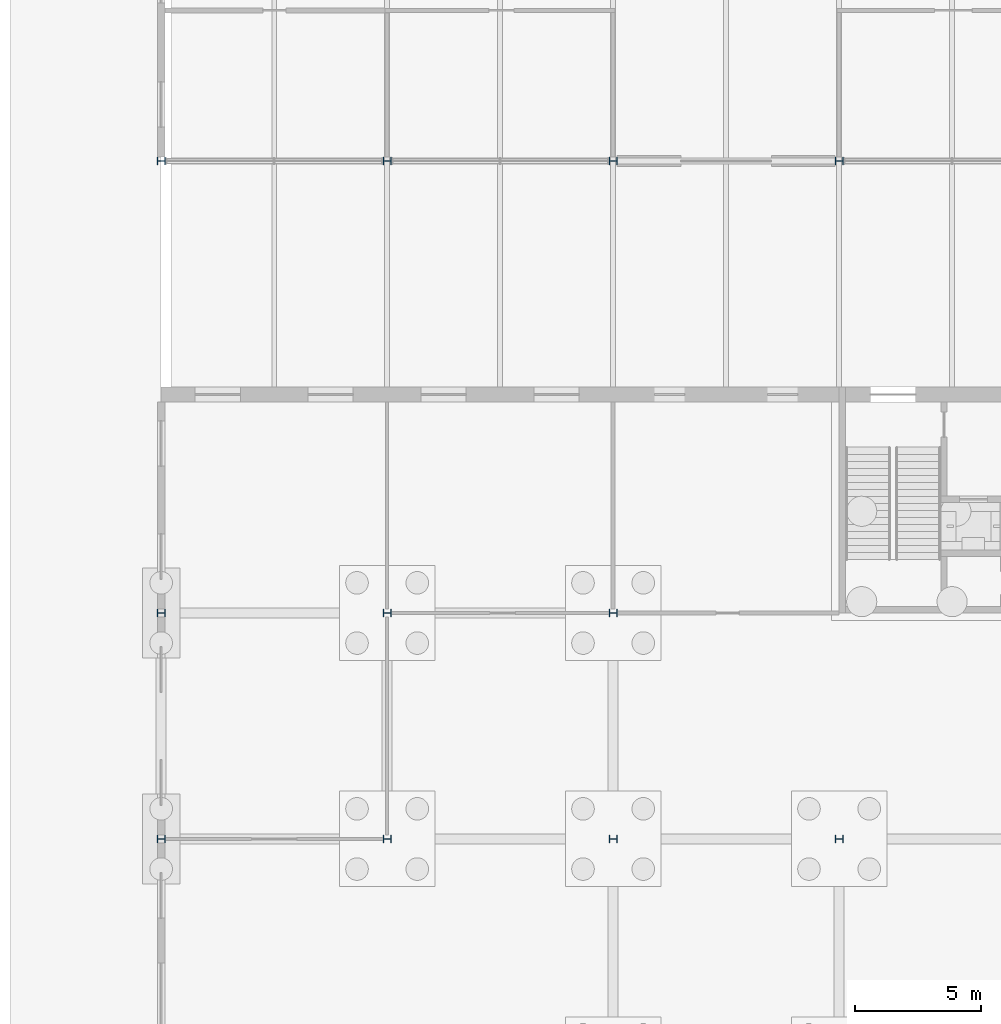
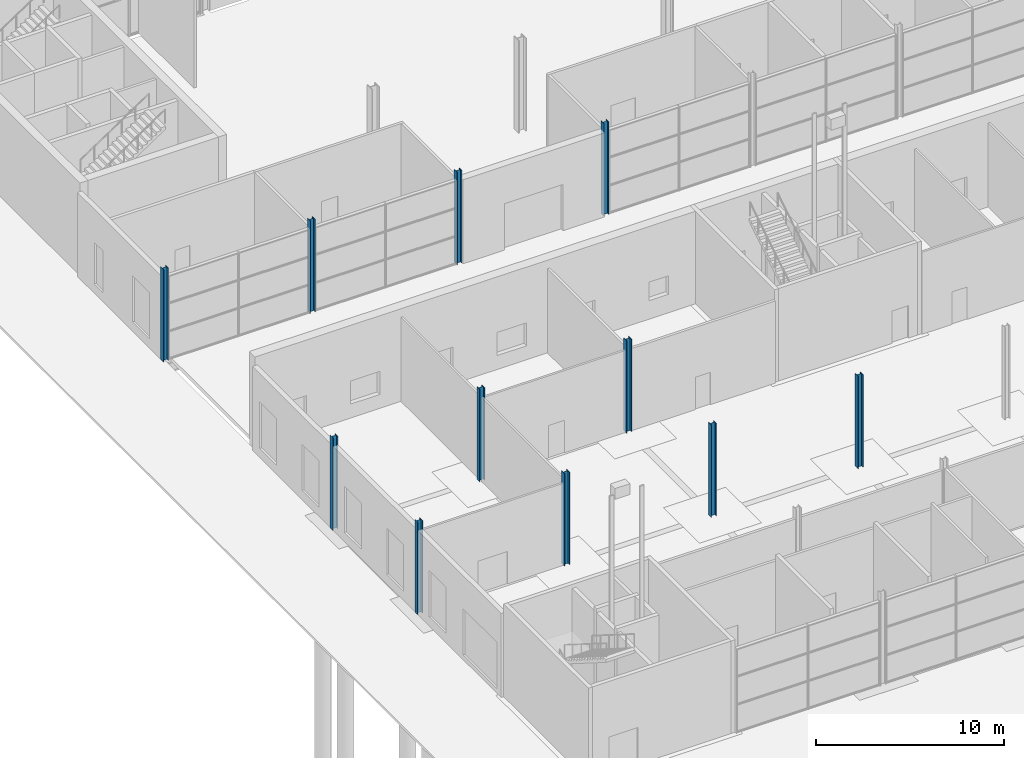
# One storey, part 13 of 97: 11 columns.
"""IFC4 building model written with IfcOpenShell, lengths in metres."""

from ifc_helpers import new_model, si_unit, direction, frame, origin, origin_2d, place, context, subcontext, project, spatial, i_section, extrude, material, material_profile, profile_set, type_object, element, save


model = new_model("IFC4")

# Units and contexts
model_context = context("Model", 3, precision=1e-05, world=origin(), true_north=direction((0.0, 1.0)))
body_context = subcontext(model_context, "Body", "Model", "MODEL_VIEW")
ifc_project = project(units=[si_unit("LENGTHUNIT", "METRE"), si_unit("AREAUNIT", "SQUARE_METRE"), si_unit("VOLUMEUNIT", "CUBIC_METRE"), si_unit("PLANEANGLEUNIT", "RADIAN"), si_unit("MASSUNIT", "GRAM", prefix="KILO")], contexts=[model_context])

# Site, building, storey
site_placement = place(None, origin())
site = spatial("IfcSite", under=ifc_project, at=site_placement, CompositionType="ELEMENT")
building_placement = place(site_placement, origin())
building = spatial("IfcBuilding", under=site, at=building_placement, Name="Corbel Yard City Hall", CompositionType="ELEMENT")
storey_placement = place(building_placement, origin())
storey = spatial("IfcBuildingStorey", under=building, at=storey_placement, Name="L00", CompositionType="ELEMENT", Elevation=0.0)

# Columns
ifc_material = material(Name="Steel Grade 300 (300 MPa yield)", Category="steel")
ifc_material_profile_1 = material_profile(ifc_material, i_section(OverallWidth=0.306884765625, OverallDepth=0.31494140625, WebThickness=0.011962890625, FlangeThickness=0.018798828125, at=origin_2d()), Name="310UC118")
ifc_profile_set_1 = profile_set([ifc_material_profile_1], Name="Steel Grade 300 (300 MPa yield)")
column_type_1 = type_object("IfcColumnType", Name="Column 310UC118", PredefinedType="COLUMN", material=ifc_profile_set_1)
for number, where, z_axis, x_axis, name in (
    (1, (0.0, 63.0, 0.0), (0.0, 0.0, 1.0), (0.0, 1.0, 0.0), "Column 310UC118 H/1 L00"),
    (2, (0.0, 72.0, 0.0), (0.0, 0.0, 1.0), (0.0, 1.0, 0.0), "Column 310UC118 I/1 L00"),
    (3, (0.0, 90.0, 0.0), (0.0, 0.0, 1.0), (0.0, 1.0, 0.0), "Column 310UC118 K/1 L00"),
    (4, (9.0, 90.0, 0.0), (0.0, 0.0, 1.0), (0.0, 1.0, 0.0), "Column 310UC118 K/2 L00"),
    (5, (18.0, 90.0, 0.0), (0.0, 0.0, 1.0), (0.0, 1.0, 0.0), "Column 310UC118 K/3 L00"),
    (6, (27.0, 90.0, 0.0), (0.0, 0.0, 1.0), (0.0, 1.0, 0.0), "Column 310UC118 K/4 L00"),
):
    element("IfcColumn", number, at=place(storey_placement, frame(where, z_axis=z_axis, x_axis=x_axis)), inside=storey, type_object=column_type_1, Name=name, PredefinedType="COLUMN", context=body_context, shape_type="SweptSolid", body=[
        extrude(i_section(OverallWidth=0.306884765625, OverallDepth=0.31494140625, WebThickness=0.011962890625, FlangeThickness=0.018798828125, at=origin_2d()), origin(), (0.0, 0.0, 1.0), 6.0),
    ])
ifc_material_profile_2 = material_profile(ifc_material, i_section(OverallWidth=0.31103515625, OverallDepth=0.326904296875, WebThickness=0.015625, FlangeThickness=0.02490234375, at=origin_2d()), Name="310UC158")
ifc_profile_set_2 = profile_set([ifc_material_profile_2], Name="Steel Grade 300 (300 MPa yield)")
column_type_2 = type_object("IfcColumnType", Name="Column 310UC158", PredefinedType="COLUMN", material=ifc_profile_set_2)
for number, where, z_axis, x_axis, name in (
    (7, (9.0, 63.0, 0.0), (0.0, 0.0, 1.0), (0.0, 1.0, 0.0), "Column 310UC158 H/2 L00"),
    (8, (9.0, 72.0, 0.0), (0.0, 0.0, 1.0), (0.0, 1.0, 0.0), "Column 310UC158 I/2 L00"),
    (9, (18.0, 63.0, 0.0), (0.0, 0.0, 1.0), (0.0, 1.0, 0.0), "Column 310UC158 H/3 L00"),
    (10, (18.0, 72.0, 0.0), (0.0, 0.0, 1.0), (0.0, 1.0, 0.0), "Column 310UC158 I/3 L00"),
    (11, (27.0, 63.0, 0.0), (0.0, 0.0, 1.0), (0.0, 1.0, 0.0), "Column 310UC158 H/4 L00"),
):
    element("IfcColumn", number, at=place(storey_placement, frame(where, z_axis=z_axis, x_axis=x_axis)), inside=storey, type_object=column_type_2, Name=name, PredefinedType="COLUMN", context=body_context, shape_type="SweptSolid", body=[
        extrude(i_section(OverallWidth=0.31103515625, OverallDepth=0.326904296875, WebThickness=0.015625, FlangeThickness=0.02490234375, at=origin_2d()), origin(), (0.0, 0.0, 1.0), 6.0),
    ])

save(model, "model.ifc")
